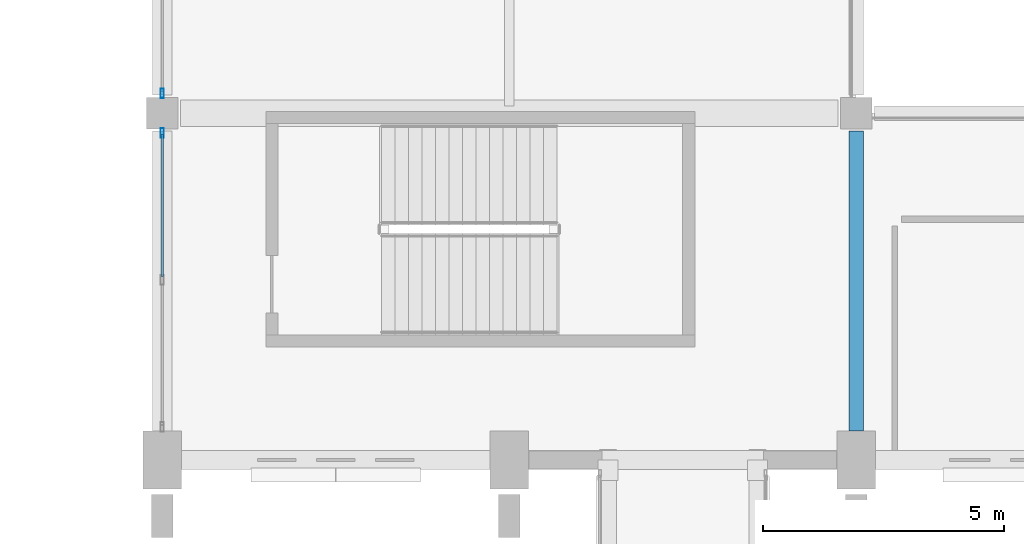
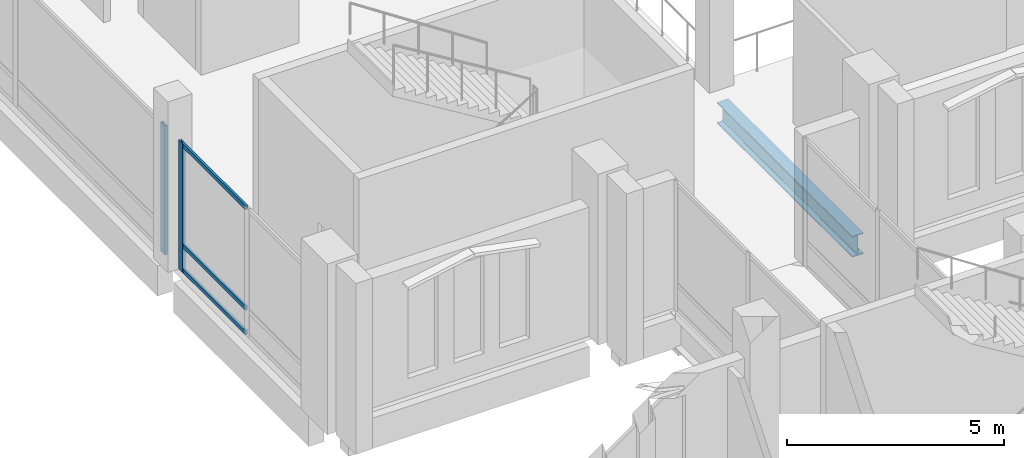
# One storey, part 91 of 220: 5 members, 1 beam, 2 elements without a shape of their own.
"""IFC4 building model written with IfcOpenShell, lengths in metres."""

import ifcopenshell
import ifcopenshell.guid

model = None  # the IFC model being written
_history = None  # IfcOwnerHistory: only IFC2X3 demands one
_inside = {}  # id of a spatial element -> (the spatial element, [elements in it])
_under = {}  # id of a project, library or spatial element -> (it, [spatial elements below it])
_declared = {}  # id of a project -> (the project, [libraries it declares])
_typed = {}  # id of a type object -> (the type object, [elements of that type])
_made_of = {}  # id of a material, layer set ... -> (it, [elements and type objects made of it])


def new_model(schema):
    """Start an empty IFC model of exactly this schema.

    Asked for "IFC4X3", IfcOpenShell would pick the latest addendum, in which some entities
    have other attributes; the version numbers below select the first issue.
    IFC2X3 requires an IfcOwnerHistory on every rooted entity: one is made here for all.
    """
    global model, _history
    if schema == "IFC4X3":
        model = ifcopenshell.file(schema_version=(4, 3, 0, 0))
    else:
        model = ifcopenshell.file(schema=schema)
    _inside.clear()
    _under.clear()
    _declared.clear()
    _typed.clear()
    _made_of.clear()
    _history = None
    if model.schema == "IFC2X3":
        org = make("IfcOrganization", Name="unknown")
        user = make(
            "IfcPersonAndOrganization",
            ThePerson=make("IfcPerson", FamilyName="unknown"),
            TheOrganization=org,
        )
        app = make(
            "IfcApplication",
            ApplicationDeveloper=org,
            Version="unknown",
            ApplicationFullName="unknown",
            ApplicationIdentifier="unknown",
        )
        _history = make(
            "IfcOwnerHistory",
            OwningUser=user,
            OwningApplication=app,
            ChangeAction="ADDED",
            CreationDate=0,
        )
    return model


def make(cls, **values):
    """One entity of the class cls with the attributes given. An attribute that is None is left unset."""
    return model.create_entity(
        cls, **{name: value for name, value in values.items() if value is not None}
    )


def rooted(cls, **values):
    """An entity with a GlobalId (a new one), such as an element, a storey or a relation."""
    return make(cls, GlobalId=ifcopenshell.guid.new(), OwnerHistory=_history, **values)


def si_unit(unit_type, name, prefix=None):
    """IfcSIUnit, for example si_unit("LENGTHUNIT", "METRE", prefix="MILLI")."""
    return make("IfcSIUnit", UnitType=unit_type, Prefix=prefix, Name=name)


def assignment(units):
    """IfcUnitAssignment: the units of a project."""
    return None if units is None else make("IfcUnitAssignment", Units=units)


def point(xyz):
    """IfcCartesianPoint."""
    return None if xyz is None else make("IfcCartesianPoint", Coordinates=xyz)


def direction(xyz):
    """IfcDirection."""
    return None if xyz is None else make("IfcDirection", DirectionRatios=xyz)


def frame(location, z_axis=None, x_axis=None):
    """IfcAxis2Placement3D, a coordinate frame: its origin and axes. An axis left out is left unset."""
    return make(
        "IfcAxis2Placement3D",
        Location=point(location),
        Axis=direction(z_axis),
        RefDirection=direction(x_axis),
    )


def frame_2d(location, x_axis=None):
    """IfcAxis2Placement2D, a coordinate frame in the plane: its origin and x axis."""
    return make(
        "IfcAxis2Placement2D", Location=point(location), RefDirection=direction(x_axis)
    )


def origin():
    """The frame at (0, 0, 0) with its axes left unset."""
    return frame((0.0, 0.0, 0.0))


def origin_2d():
    """The frame at (0, 0) in the plane with its x axis left unset."""
    return frame_2d((0.0, 0.0))


def place(relative_to, where):
    """IfcLocalPlacement: puts the frame where relative to a parent placement (None: the world)."""
    return make(
        "IfcLocalPlacement", PlacementRelTo=relative_to, RelativePlacement=where
    )


def context(
    kind, dimensions, precision=None, world=None, true_north=None, identifier=None
):
    """IfcGeometricRepresentationContext, for example the 3D "Model" context."""
    return make(
        "IfcGeometricRepresentationContext",
        ContextIdentifier=identifier,
        ContextType=kind,
        CoordinateSpaceDimension=dimensions,
        Precision=precision,
        WorldCoordinateSystem=world,
        TrueNorth=true_north,
    )


def subcontext(parent, identifier, kind, view, scale=None):
    """IfcGeometricRepresentationSubContext, for example "Body" below "Model"."""
    return make(
        "IfcGeometricRepresentationSubContext",
        ContextIdentifier=identifier,
        ContextType=kind,
        ParentContext=parent,
        TargetScale=scale,
        TargetView=view,
    )


def project(units=None, contexts=None):
    """IfcProject with its units and contexts."""
    return rooted(
        "IfcProject",
        Name="project",
        RepresentationContexts=contexts,
        UnitsInContext=assignment(units),
    )


def spatial(cls, under=None, at=None, **own):
    """A site, building, storey or space (cls), placed at a placement, below another one or the project."""
    s = rooted(cls, ObjectPlacement=at, **own)
    if under is not None:
        _under.setdefault(under.id(), (under, []))[1].append(s)
    return s


def profile(cls, at=None, kind="AREA", **sizes):
    """A parametric profile (cls). Its sizes go by their IFC names, for example OverallWidth=200.0."""
    return make(cls, ProfileType=kind, Position=at, **sizes)


def hollow_rectangle(**sizes):
    """IfcRectangleHollowProfileDef."""
    return profile("IfcRectangleHollowProfileDef", **sizes)


def i_section(**sizes):
    """IfcIShapeProfileDef."""
    return profile("IfcIShapeProfileDef", **sizes)


def extrude(swept, where, along, depth):
    """IfcExtrudedAreaSolid: the profile swept, set in the frame where, extruded along a direction by depth."""
    return make(
        "IfcExtrudedAreaSolid",
        SweptArea=swept,
        Position=where,
        ExtrudedDirection=direction(along),
        Depth=depth,
    )


def shape(context_of_items, identifier, shape_type, items):
    """IfcShapeRepresentation: the items that make up one representation, for example the "Body"."""
    return make(
        "IfcShapeRepresentation",
        ContextOfItems=context_of_items,
        RepresentationIdentifier=identifier,
        RepresentationType=shape_type,
        Items=items,
    )


def material(Name=None, Category=None):
    """IfcMaterial."""
    return make("IfcMaterial", Name=Name, Category=Category)


def material_profile(
    of_material, cross_section, Name=None, Category=None, Priority=None
):
    """IfcMaterialProfile: a cross section and its material."""
    return make(
        "IfcMaterialProfile",
        Name=Name,
        Material=of_material,
        Profile=cross_section,
        Priority=Priority,
        Category=Category,
    )


def profile_set(profiles, Name=None, composite=None):
    """IfcMaterialProfileSet."""
    return make(
        "IfcMaterialProfileSet",
        Name=Name,
        MaterialProfiles=profiles,
        CompositeProfile=composite,
    )


def made_of(thing, what):
    """Note that an element or type object is made of a material, layer set ...; save() writes the relation."""
    if what is not None:
        _made_of.setdefault(what.id(), (what, []))[1].append(thing)
    return thing


def type_object(cls, material=None, **own):
    """A type object (cls), such as IfcWallType, which elements share."""
    return made_of(rooted(cls, **own), material)


def element(
    cls,
    number,
    at=None,
    inside=None,
    cuts=None,
    type_object=None,
    material=None,
    context=None,
    identifier="Body",
    shape_type=None,
    held_by="IfcProductDefinitionShape",
    body=None,
    shapes=None,
    **own,
):
    """One element of the class cls, such as IfcWall. Its Tag is "e" and its number.

    at: its placement. inside: the storey or other place that contains it. cuts: it is an
    opening in that element (IfcRelVoidsElement). A single representation is given by context,
    identifier, shape_type and body (its items); several are given by shapes. held_by: the class
    of the entity that holds the representations. save() writes the other relations.
    """
    e = rooted(cls, Tag="e%d" % number, ObjectPlacement=at, **own)
    if body is not None:
        shapes = [shape(context, identifier, shape_type, body)]
    if shapes is not None:
        e.Representation = make(held_by, Representations=shapes)
    if inside is not None:
        _inside.setdefault(inside.id(), (inside, []))[1].append(e)
    if cuts is not None:
        rooted(
            "IfcRelVoidsElement", RelatingBuildingElement=cuts, RelatedOpeningElement=e
        )
    if type_object is not None:
        _typed.setdefault(type_object.id(), (type_object, []))[1].append(e)
    return made_of(e, material)


def aggregate(whole, parts):
    """IfcRelAggregates: a whole, such as a stair, and the parts it consists of."""
    return rooted("IfcRelAggregates", RelatingObject=whole, RelatedObjects=parts)


def save(model, path):
    """Write the relations noted so far, then the file.

    IfcRelAggregates (storeys below a building ...), IfcRelContainedInSpatialStructure (elements
    in a storey), IfcRelDefinesByType, IfcRelAssociatesMaterial and IfcRelDeclares: one each for
    every whole, place, type object, material and project.
    """
    for whole, parts in _under.values():
        aggregate(whole, parts)
    for where, things in _inside.values():
        rooted(
            "IfcRelContainedInSpatialStructure",
            RelatedElements=things,
            RelatingStructure=where,
        )
    for kind, things in _typed.values():
        rooted("IfcRelDefinesByType", RelatedObjects=things, RelatingType=kind)
    for what, things in _made_of.values():
        rooted("IfcRelAssociatesMaterial", RelatedObjects=things, RelatingMaterial=what)
    for by, libraries in _declared.values():
        rooted("IfcRelDeclares", RelatingContext=by, RelatedDefinitions=libraries)
    model.write(path)


model = new_model("IFC4")

# Units and contexts
model_context = context("Model", 3, precision=1e-05, world=origin(), true_north=direction((0.0, 1.0)))
body_context = subcontext(model_context, "Body", "Model", "MODEL_VIEW")
ifc_project = project(units=[si_unit("LENGTHUNIT", "METRE"), si_unit("AREAUNIT", "SQUARE_METRE"), si_unit("VOLUMEUNIT", "CUBIC_METRE"), si_unit("PLANEANGLEUNIT", "RADIAN"), si_unit("MASSUNIT", "GRAM", prefix="KILO")], contexts=[model_context])

# Site, building, storey
site_placement = place(None, origin())
site = spatial("IfcSite", under=ifc_project, at=site_placement, CompositionType="ELEMENT")
building_placement = place(site_placement, origin())
building = spatial("IfcBuilding", under=site, at=building_placement, Name="Cendralis Lancet Convention Centre", CompositionType="ELEMENT")
storey_placement = place(building_placement, frame((0.0, 0.0, 5.39990234375)))
storey = spatial("IfcBuildingStorey", under=building, at=storey_placement, Name="L01", CompositionType="ELEMENT", Elevation=5.39990234375)

# Curtain wall, member
ifc_material_1 = material(Name="Anodised bronze architectural aluminium", Category="aluminium")
curtain_wall_type = type_object("IfcCurtainWallType", Name="ARC-CW-PL01", PredefinedType="USERDEFINED", material=ifc_material_1)
curtain_wall_1_placement = place(storey_placement, origin())
curtain_wall_1 = element("IfcCurtainWall", 1, at=curtain_wall_1_placement, inside=storey, type_object=curtain_wall_type, Name="L01 Curtain Wall CW-PL1 #116", ObjectType="CURTAIN WALL", PredefinedType="USERDEFINED")
ifc_material_profile_1 = material_profile(ifc_material_1, hollow_rectangle(XDim=0.070068359375, YDim=0.199951171875, WallThickness=0.0048828125, at=origin_2d()), Name="AL-MULL 70x200x5.0")
ifc_profile_set_1 = profile_set([ifc_material_profile_1], Name="Anodised bronze architectural aluminium")
member_type_1 = type_object("IfcMemberType", Name="ARC-CW-ML02", PredefinedType="MULLION", material=ifc_profile_set_1)
member_1_placement = place(storey_placement, frame((139.199951171875, 49.989990234375, 0.0), z_axis=(0.0, 0.0, 1.0), x_axis=(1.0, 0.0, 0.0)))
member_1 = element("IfcMember", 2, at=member_1_placement, type_object=member_type_1, Name="Mullion CW2-CW-PL1-L01-116-M2", PredefinedType="MULLION", context=body_context, shape_type="SweptSolid", body=[
    extrude(hollow_rectangle(XDim=0.070068359375, YDim=0.199951171875, WallThickness=0.0048828125, at=origin_2d()), origin(), (0.0, 0.0, 1.0), 3.635009765625),
])

curtain_wall_2_placement = place(storey_placement, origin())
curtain_wall_2 = element("IfcCurtainWall", 3, at=curtain_wall_2_placement, inside=storey, type_object=curtain_wall_type, Name="L01 Curtain Wall CW-PL1 #117", ObjectType="CURTAIN WALL", PredefinedType="USERDEFINED")
member_2_placement = place(storey_placement, frame((139.199951171875, 50.81005859375, 0.0), z_axis=(0.0, 0.0, 1.0), x_axis=(1.0, 0.0, 0.0)))
member_2 = element("IfcMember", 4, at=member_2_placement, type_object=member_type_1, Name="Mullion CW2-CW-PL1-L01-117-M0", PredefinedType="MULLION", context=body_context, shape_type="SweptSolid", body=[
    extrude(hollow_rectangle(XDim=0.070068359375, YDim=0.199951171875, WallThickness=0.0048828125, at=origin_2d()), origin(), (0.0, 0.0, 1.0), 3.635009765625),
])
aggregate(curtain_wall_2, [member_2])

# Member
ifc_material_profile_2 = material_profile(ifc_material_1, hollow_rectangle(XDim=0.06005859375, YDim=0.1201171875, WallThickness=0.00390625, at=origin_2d()), Name="AL-TRAN 60x120x4.0")
ifc_profile_set_2 = profile_set([ifc_material_profile_2], Name="Anodised bronze architectural aluminium")
member_type_2 = type_object("IfcMemberType", Name="ARC-CW-TR01", PredefinedType="USERDEFINED", material=ifc_profile_set_2)
member_3_placement = place(storey_placement, frame((139.199951171875, 47.007568359375, 0.06005859375), z_axis=(0.0, 1.0, 0.0), x_axis=(-1.0, 0.0, 0.0)))
member_3 = element("IfcMember", 5, at=member_3_placement, type_object=member_type_2, Name="Transom CW2-CW-PL1-L01-116-T1BOT", ObjectType="TRANSOM", PredefinedType="USERDEFINED", context=body_context, shape_type="SweptSolid", body=[
    extrude(hollow_rectangle(XDim=0.06005859375, YDim=0.1201171875, WallThickness=0.00390625, at=origin_2d()), origin(), (0.0, 0.0, 1.0), 2.947509765625),
])

member_4_placement = place(storey_placement, frame((139.199951171875, 47.007568359375, 0.75), z_axis=(0.0, 1.0, 0.0), x_axis=(-1.0, 0.0, 0.0)))
member_4 = element("IfcMember", 6, at=member_4_placement, type_object=member_type_2, Name="Transom CW2-CW-PL1-L01-116-T1MID", ObjectType="TRANSOM", PredefinedType="USERDEFINED", context=body_context, shape_type="SweptSolid", body=[
    extrude(hollow_rectangle(XDim=0.06005859375, YDim=0.1201171875, WallThickness=0.00390625, at=origin_2d()), origin(), (0.0, 0.0, 1.0), 2.947509765625),
])

member_5_placement = place(storey_placement, frame((139.199951171875, 47.007568359375, 3.5751953125), z_axis=(0.0, 1.0, 0.0), x_axis=(-1.0, 0.0, 0.0)))
member_5 = element("IfcMember", 7, at=member_5_placement, type_object=member_type_2, Name="Transom CW2-CW-PL1-L01-116-T1TOP", ObjectType="TRANSOM", PredefinedType="USERDEFINED", context=body_context, shape_type="SweptSolid", body=[
    extrude(hollow_rectangle(XDim=0.06005859375, YDim=0.1201171875, WallThickness=0.00390625, at=origin_2d()), origin(), (0.0, 0.0, 1.0), 2.947509765625),
])

aggregate(curtain_wall_1, [member_1, member_3, member_4, member_5])

# Beam
ifc_material_2 = material(Name="Steel S355", Category="steel")
ifc_material_profile_3 = material_profile(ifc_material_2, i_section(OverallWidth=0.300048828125, OverallDepth=0.590087890625, WebThickness=0.012939453125, FlangeThickness=0.02490234375, FilletRadius=0.027099609375, at=origin_2d()), Name="HEA 600")
ifc_profile_set_3 = profile_set([ifc_material_profile_3], Name="Steel S355")
beam_type = type_object("IfcBeamType", Name="STR-BM-SG10", PredefinedType="BEAM", material=ifc_profile_set_3)
beam_placement = place(storey_placement, frame((153.60009765625, 43.800048828125, -0.574951171875), z_axis=(0.0, 1.0, 0.0), x_axis=(-1.0, 0.0, 0.0)))
element("IfcBeam", 8, at=beam_placement, inside=storey, type_object=beam_type, Name="L01 Beam SG10 #1427", PredefinedType="BEAM", context=body_context, shape_type="SweptSolid", body=[
    extrude(i_section(OverallWidth=0.300048828125, OverallDepth=0.590087890625, WebThickness=0.012939453125, FlangeThickness=0.02490234375, FilletRadius=0.027099609375, at=origin_2d()), origin(), (0.0, 0.0, 1.0), 6.224853515625),
])

save(model, "model.ifc")
